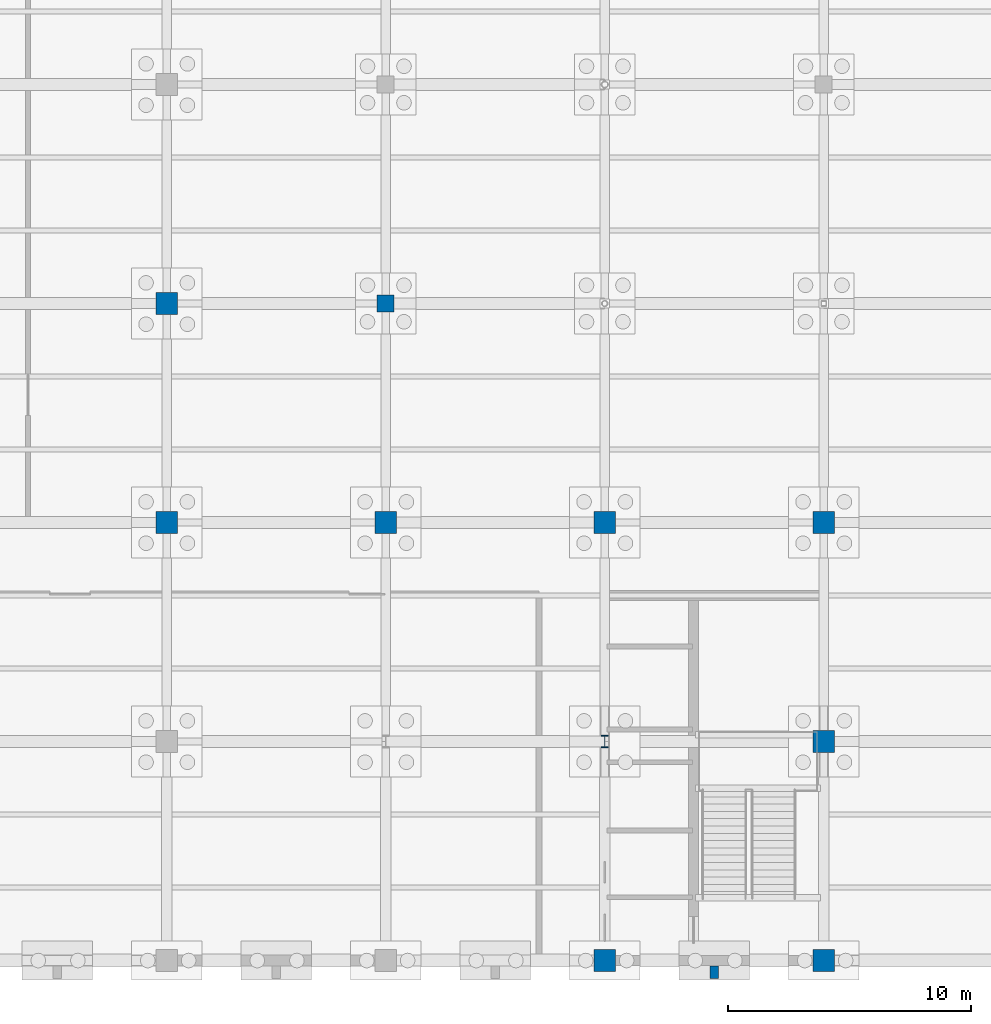
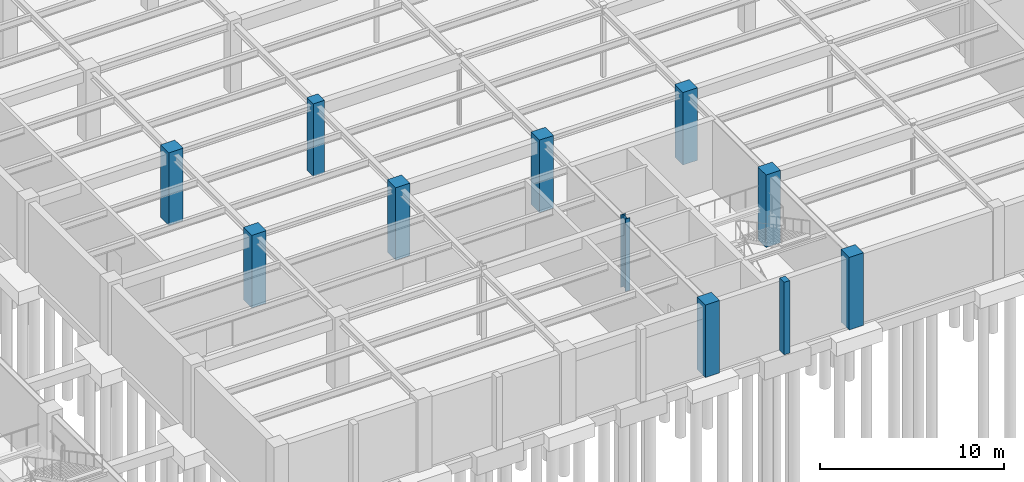
# One storey, part 16 of 49: 11 columns.
"""IFC4 building model written with IfcOpenShell, lengths in metres."""

from ifc_helpers import new_model, si_unit, direction, frame, origin, origin_2d, place, context, subcontext, project, spatial, rectangle, i_section, extrude, material, material_profile, profile_set, type_object, element, save


model = new_model("IFC4")

# Units and contexts
model_context = context("Model", 3, precision=1e-05, world=origin(), true_north=direction((0.0, 1.0)))
body_context = subcontext(model_context, "Body", "Model", "MODEL_VIEW")
ifc_project = project(units=[si_unit("LENGTHUNIT", "METRE"), si_unit("AREAUNIT", "SQUARE_METRE"), si_unit("VOLUMEUNIT", "CUBIC_METRE"), si_unit("PLANEANGLEUNIT", "RADIAN"), si_unit("MASSUNIT", "GRAM", prefix="KILO")], contexts=[model_context])

# Site, building, storey
site_placement = place(None, origin())
site = spatial("IfcSite", under=ifc_project, at=site_placement, CompositionType="ELEMENT")
building_placement = place(site_placement, origin())
building = spatial("IfcBuilding", under=site, at=building_placement, Name="Lykobir Media Centre", CompositionType="ELEMENT")
storey_placement = place(building_placement, frame((0.0, 0.0, -4.800048828125)))
storey = spatial("IfcBuildingStorey", under=building, at=storey_placement, Name="B1", CompositionType="ELEMENT", Elevation=-4.800048828125)

# Columns
ifc_material_1 = material(Name="Honed Travertine Stone", Category="masonry")
ifc_material_profile_1 = material_profile(ifc_material_1, rectangle(XDim=0.35009765625, YDim=0.5, at=origin_2d()), Name="RC PILASTER 500x350")
ifc_profile_set_1 = profile_set([ifc_material_profile_1], Name="Honed Travertine Stone")
column_type_1 = type_object("IfcColumnType", Name="PIL-500", PredefinedType="PILASTER", material=ifc_profile_set_1)
column_1_placement = place(storey_placement, frame((121.5, -0.47998046875, 0.0), z_axis=(0.0, 0.0, 1.0), x_axis=(1.0, 0.0, 0.0)))
element("IfcColumn", 1, at=column_1_placement, inside=storey, type_object=column_type_1, Name="South Revak B1 pier 121.5", PredefinedType="PILASTER", context=body_context, shape_type="SweptSolid", body=[
    extrude(rectangle(XDim=0.35009765625, YDim=0.5, at=origin_2d()), origin(), (0.0, 0.0, 1.0), 4.800048828125),
])
ifc_material_2 = material(Name="Concrete C40/50", Category="concrete")
ifc_material_profile_2 = material_profile(ifc_material_2, rectangle(XDim=0.699951171875, YDim=0.699951171875, at=origin_2d()), Name="RC 700x700")
ifc_profile_set_2 = profile_set([ifc_material_profile_2], Name="Concrete C40/50")
column_type_2 = type_object("IfcColumnType", Name="RC-C700", PredefinedType="COLUMN", material=ifc_profile_set_2)
column_2_placement = place(storey_placement, frame((108.0, 27.0, 0.0), z_axis=(0.0, 0.0, 1.0), x_axis=(1.0, 0.0, 0.0)))
element("IfcColumn", 2, at=column_2_placement, inside=storey, type_object=column_type_2, Name="Column COL-B1-1080-0270", PredefinedType="COLUMN", context=body_context, shape_type="SweptSolid", body=[
    extrude(rectangle(XDim=0.699951171875, YDim=0.699951171875, at=origin_2d()), origin(), (0.0, 0.0, 1.0), 4.800048828125),
])
ifc_material_profile_3 = material_profile(ifc_material_2, rectangle(XDim=0.89990234375, YDim=0.89990234375, at=origin_2d()), Name="RC 900x900")
ifc_profile_set_3 = profile_set([ifc_material_profile_3], Name="Concrete C40/50")
column_type_3 = type_object("IfcColumnType", Name="RC-C900", PredefinedType="COLUMN", material=ifc_profile_set_3)
for number, where, z_axis, x_axis, name in (
    (3, (99.0, 18.0, 0.0), (0.0, 0.0, 1.0), (1.0, 0.0, 0.0), "Column COL-B1-0990-0180"),
    (4, (99.0, 27.0, 0.0), (0.0, 0.0, 1.0), (1.0, 0.0, 0.0), "Column COL-B1-0990-0270"),
    (5, (108.0, 18.0, 0.0), (0.0, 0.0, 1.0), (1.0, 0.0, 0.0), "Column COL-B1-1080-0180"),
    (6, (117.0, 18.0, 0.0), (0.0, 0.0, 1.0), (1.0, 0.0, 0.0), "Column COL-B1-1170-0180"),
    (7, (126.0, 9.0, 0.0), (0.0, 0.0, 1.0), (1.0, 0.0, 0.0), "Column COL-B1-1260-0090"),
    (8, (126.0, 18.0, 0.0), (0.0, 0.0, 1.0), (1.0, 0.0, 0.0), "Column COL-B1-1260-0180"),
):
    element("IfcColumn", number, at=place(storey_placement, frame(where, z_axis=z_axis, x_axis=x_axis)), inside=storey, type_object=column_type_3, Name=name, PredefinedType="COLUMN", context=body_context, shape_type="SweptSolid", body=[
        extrude(rectangle(XDim=0.89990234375, YDim=0.89990234375, at=origin_2d()), origin(), (0.0, 0.0, 1.0), 4.800048828125),
    ])
ifc_material_profile_4 = material_profile(ifc_material_2, rectangle(XDim=0.89990234375, YDim=0.89990234375, at=origin_2d()), Name="RC 900x900")
ifc_profile_set_4 = profile_set([ifc_material_profile_4], Name="Concrete C40/50")
column_type_4 = type_object("IfcColumnType", Name="RC-C900-E", PredefinedType="COLUMN", material=ifc_profile_set_4)
for number, where, z_axis, x_axis, name in (
    (9, (117.0, 0.0, 0.0), (0.0, 0.0, 1.0), (1.0, 0.0, 0.0), "Column COL-B1-1170-0000"),
    (10, (126.0, 0.0, 0.0), (0.0, 0.0, 1.0), (1.0, 0.0, 0.0), "Column COL-B1-1260-0000"),
):
    element("IfcColumn", number, at=place(storey_placement, frame(where, z_axis=z_axis, x_axis=x_axis)), inside=storey, type_object=column_type_4, Name=name, PredefinedType="COLUMN", context=body_context, shape_type="SweptSolid", body=[
        extrude(rectangle(XDim=0.89990234375, YDim=0.89990234375, at=origin_2d()), origin(), (0.0, 0.0, 1.0), 4.800048828125),
    ])
ifc_material_3 = material(Name="Steel S355", Category="steel")
ifc_material_profile_5 = material_profile(ifc_material_3, i_section(OverallWidth=0.300048828125, OverallDepth=0.5, WebThickness=0.014404296875, FlangeThickness=0.028076171875, at=origin_2d()), Name="HEB 500")
ifc_profile_set_5 = profile_set([ifc_material_profile_5], Name="Steel S355")
column_type_5 = type_object("IfcColumnType", Name="SC-HEB500", PredefinedType="COLUMN", material=ifc_profile_set_5)
column_3_placement = place(storey_placement, frame((117.0, 9.0, 0.0), z_axis=(0.0, 0.0, 1.0), x_axis=(1.0, 0.0, 0.0)))
element("IfcColumn", 11, at=column_3_placement, inside=storey, type_object=column_type_5, Name="Column COL-B1-1170-0090", PredefinedType="COLUMN", context=body_context, shape_type="SweptSolid", body=[
    extrude(i_section(OverallWidth=0.300048828125, OverallDepth=0.5, WebThickness=0.014404296875, FlangeThickness=0.028076171875, at=origin_2d()), origin(), (0.0, 0.0, 1.0), 4.800048828125),
])

save(model, "model.ifc")
